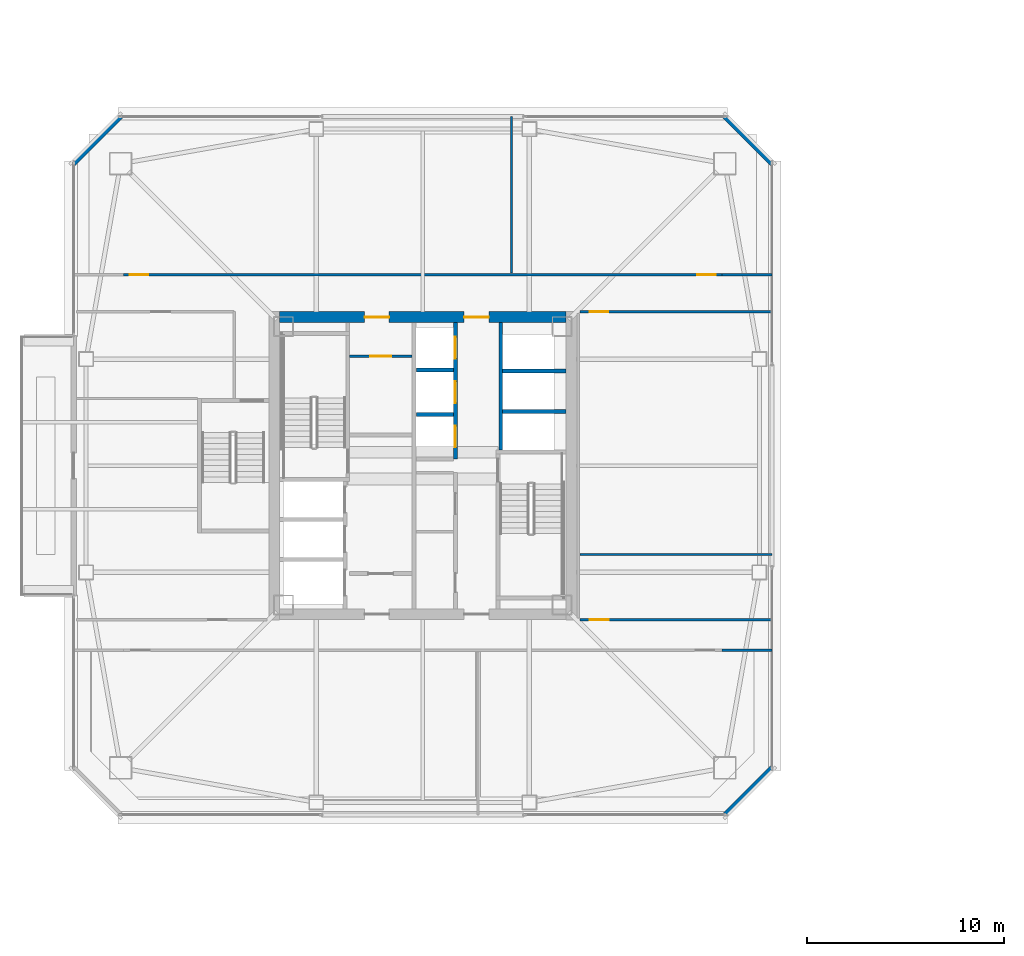
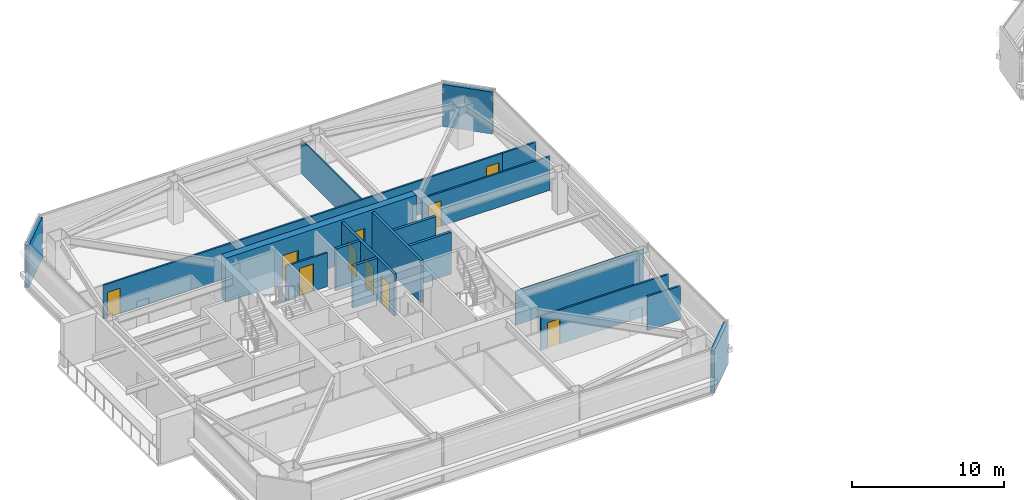
# One storey, part 32 of 41: 18 walls, 10 doors, 10 openings.
"""IFC4 building model written with IfcOpenShell, lengths in metres."""

from ifc_helpers import new_model, si_unit, direction, frame, frame_2d, origin, place, context, subcontext, project, spatial, rectangle, extrude, material, layer, layer_set, type_object, element, fill, save


model = new_model("IFC4")

# Units and contexts
model_context = context("Model", 3, precision=1e-05, world=origin(), true_north=direction((0.0, 1.0)))
body_context = subcontext(model_context, "Body", "Model", "MODEL_VIEW")
ifc_project = project(units=[si_unit("LENGTHUNIT", "METRE"), si_unit("AREAUNIT", "SQUARE_METRE"), si_unit("VOLUMEUNIT", "CUBIC_METRE"), si_unit("PLANEANGLEUNIT", "RADIAN"), si_unit("MASSUNIT", "GRAM", prefix="KILO")], contexts=[model_context])

# Site, building, storey
site_placement = place(None, origin())
site = spatial("IfcSite", under=ifc_project, at=site_placement, CompositionType="ELEMENT")
building_placement = place(site_placement, origin())
building = spatial("IfcBuilding", under=site, at=building_placement, Name="Tashvorn Skyway Center", CompositionType="ELEMENT")
storey_placement = place(building_placement, frame((0.0, 0.0, 192.5)))
storey = spatial("IfcBuildingStorey", under=building, at=storey_placement, Name="L52", CompositionType="ELEMENT", Elevation=192.5)

# Wall, openings, doors
ifc_material_1 = material(Name="Concrete C60/75", Category="concrete")
ifc_layer_1 = layer(ifc_material_1, 0.550048828125)
ifc_layer_set_1 = layer_set([ifc_layer_1], Name="Concrete C60/75")
wall_type_1 = type_object("IfcWallType", Name="WALL-CORE-550", PredefinedType="SHEAR", material=ifc_layer_set_1)
wall_1_placement = place(storey_placement, frame((34.75, 39.52490234375, 0.0), z_axis=(0.0, 0.0, 1.0), x_axis=(1.0, 0.0, 0.0)))
wall_1 = element("IfcWall", 1, at=wall_1_placement, inside=storey, type_object=wall_type_1, Name="Tower 1 L52 North Core Shear Wall", PredefinedType="SHEAR", context=body_context, shape_type="SweptSolid", body=[
    extrude(rectangle(XDim=14.5, YDim=0.550048828125, at=frame_2d((7.25, 0.0))), origin(), (0.0, 0.0, 1.0), 3.550048828125),
])
opening_1_placement = place(wall_1_placement, frame((4.300048828125, 0.0, 0.0)))
opening_1 = element("IfcOpeningElement", 2, at=opening_1_placement, cuts=wall_1, Name="Opening D-FFL-1250", PredefinedType="OPENING", context=body_context, shape_type="SweptSolid", body=[
    extrude(rectangle(XDim=1.25, YDim=2.25, at=frame_2d((0.625, 1.125))), frame((0.0, 0.284912109375, 0.0), z_axis=(0.0, -1.0, 0.0), x_axis=(1.0, 0.0, 0.0)), (0.0, 0.0, 1.0), 0.570068359375),
])
opening_2_placement = place(wall_1_placement, frame((9.35009765625, 0.0, 0.0)))
opening_2 = element("IfcOpeningElement", 3, at=opening_2_placement, cuts=wall_1, Name="Opening D-FFL-1250", PredefinedType="OPENING", context=body_context, shape_type="SweptSolid", body=[
    extrude(rectangle(XDim=1.25, YDim=2.25, at=frame_2d((0.625, 1.125))), frame((0.0, 0.284912109375, 0.0), z_axis=(0.0, -1.0, 0.0), x_axis=(1.0, 0.0, 0.0)), (0.0, 0.0, 1.0), 0.570068359375),
])
ifc_material_2 = material(Name="Hollow galvanized steel fire door assembly", Category="steel")
door_type_1 = type_object("IfcDoorType", Name="DOOR-FFL-1250", OperationType="NOTDEFINED", PredefinedType="DOOR", material=ifc_material_2)
door_1_placement = place(opening_1_placement, origin())
door_1 = element("IfcDoor", 4, at=door_1_placement, inside=storey, type_object=door_type_1, Name="Tower 1 L52 Core North Service Lobby Door", OperationType="SINGLE_SWING_LEFT", OverallHeight=2.25, OverallWidth=1.25, PredefinedType="DOOR", context=body_context, shape_type="SweptSolid", body=[
    extrude(rectangle(XDim=1.25, YDim=2.25, at=frame_2d((0.625, 1.125))), frame((0.0, 0.02490234375, 0.0), z_axis=(0.0, -1.0, 0.0), x_axis=(1.0, 0.0, 0.0)), (0.0, 0.0, 1.0), 0.050048828125),
])
fill(opening_1, door_1)
door_2_placement = place(opening_2_placement, origin())
door_2 = element("IfcDoor", 5, at=door_2_placement, inside=storey, type_object=door_type_1, Name="Tower 1 L52 Core North Lift Lobby Door", OperationType="SINGLE_SWING_RIGHT", OverallHeight=2.25, OverallWidth=1.25, PredefinedType="DOOR", context=body_context, shape_type="SweptSolid", body=[
    extrude(rectangle(XDim=1.25, YDim=2.25, at=frame_2d((0.625, 1.125))), frame((0.0, 0.02490234375, 0.0), z_axis=(0.0, -1.0, 0.0), x_axis=(1.0, 0.0, 0.0)), (0.0, 0.0, 1.0), 0.050048828125),
])
fill(opening_2, door_2)

# Walls
ifc_material_3 = material(Name="Precast concrete C40/50", Category="concrete")
ifc_layer_2 = layer(ifc_material_3, 0.280029296875)
ifc_layer_set_2 = layer_set([ifc_layer_2], Name="Precast concrete C40/50")
wall_type_2 = type_object("IfcWallType", Name="WALL-EXT-280", PredefinedType="SOLIDWALL", material=ifc_layer_set_2)
for number, where, z_axis, x_axis, name in (
    (6, (24.300048828125, 47.300048828125, 0.0), (0.0, 0.0, 1.0), (0.707106781187, 0.707106781187, 0.0), "Tower 1 L52 NW Precast Chamfer Wall"),
    (7, (57.300048828125, 49.699951171875, 0.0), (0.0, 0.0, 1.0), (0.707106781187, -0.707106781187, 0.0), "Tower 1 L52 NE Precast Chamfer Wall"),
    (8, (59.699951171875, 16.699951171875, 0.0), (0.0, 0.0, 1.0), (-0.707106781187, -0.707106781187, 0.0), "Tower 1 L52 SE Precast Chamfer Wall"),
):
    element("IfcWall", number, at=place(storey_placement, frame(where, z_axis=z_axis, x_axis=x_axis)), inside=storey, type_object=wall_type_2, Name=name, PredefinedType="SOLIDWALL", context=body_context, shape_type="SweptSolid", body=[
        extrude(rectangle(XDim=3.39404296875, YDim=0.280029296875, at=frame_2d((1.697021484375, 0.0))), origin(), (0.0, 0.0, 1.0), 3.3701171875),
    ])
ifc_material_4 = material(Name="Gypsum board on cold-formed steel stud framing", Category="steel")
ifc_layer_3 = layer(ifc_material_4, 0.110107421875)
ifc_layer_set_3 = layer_set([ifc_layer_3], Name="Gypsum board on cold-formed steel stud framing")
wall_type_3 = type_object("IfcWallType", Name="WALL-PART-110", PredefinedType="PARTITIONING", material=ifc_layer_set_3)
wall_2_placement = place(storey_placement, frame((46.5, 41.75, 0.0), z_axis=(0.0, 0.0, 1.0), x_axis=(0.0, 1.0, 0.0)))
element("IfcWall", 9, at=wall_2_placement, inside=storey, type_object=wall_type_3, Name="Tower 1 L52 North Suite Partition 1", PredefinedType="PARTITIONING", context=body_context, shape_type="SweptSolid", body=[
    extrude(rectangle(XDim=7.929931640625, YDim=0.110107421875, at=frame_2d((3.96484375, 0.0))), origin(), (0.0, 0.0, 1.0), 2.722900390625),
])
wall_3_placement = place(storey_placement, frame((49.9599609375, 27.5, 0.0), z_axis=(0.0, 0.0, 1.0), x_axis=(1.0, 0.0, 0.0)))
element("IfcWall", 10, at=wall_3_placement, inside=storey, type_object=wall_type_3, Name="Tower 1 L52 East Mid Partition", PredefinedType="PARTITIONING", context=body_context, shape_type="SweptSolid", body=[
    extrude(rectangle(XDim=9.719970703125, YDim=0.110107421875, at=frame_2d((4.85986328125, 0.0))), origin(), (0.0, 0.0, 1.0), 2.722900390625),
])

# Wall, openings, doors
ifc_layer_4 = layer(ifc_material_4, 0.135009765625)
ifc_layer_set_4 = layer_set([ifc_layer_4], Name="Gypsum board on cold-formed steel stud framing")
wall_type_4 = type_object("IfcWallType", Name="WALL-PART-135", PredefinedType="PARTITIONING", material=ifc_layer_set_4)
wall_4_placement = place(storey_placement, frame((26.85009765625, 41.669921875, 0.0), z_axis=(0.0, 0.0, 1.0), x_axis=(1.0, 0.0, 0.0)))
wall_4 = element("IfcWall", 11, at=wall_4_placement, inside=storey, type_object=wall_type_4, Name="Tower 1 L52 North Suite Wall", PredefinedType="PARTITIONING", context=body_context, shape_type="SweptSolid", body=[
    extrude(rectangle(XDim=30.2998046875, YDim=0.135009765625, at=frame_2d((15.14990234375, 0.0))), origin(), (0.0, 0.0, 1.0), 2.722900390625),
])
opening_3_placement = place(wall_4_placement, frame((0.300048828125, 0.0, 0.0)))
opening_3 = element("IfcOpeningElement", 12, at=opening_3_placement, cuts=wall_4, Name="Opening D-INT-950", PredefinedType="OPENING", context=body_context, shape_type="SweptSolid", body=[
    extrude(rectangle(XDim=0.949951171875, YDim=2.050048828125, at=frame_2d((0.47509765625, 1.02490234375))), frame((0.0, 0.077392578125, 0.0), z_axis=(0.0, -1.0, 0.0), x_axis=(1.0, 0.0, 0.0)), (0.0, 0.0, 1.0), 0.155029296875),
])
opening_4_placement = place(wall_4_placement, frame((29.050048828125, 0.0, 0.0)))
opening_4 = element("IfcOpeningElement", 13, at=opening_4_placement, cuts=wall_4, Name="Opening D-INT-950", PredefinedType="OPENING", context=body_context, shape_type="SweptSolid", body=[
    extrude(rectangle(XDim=0.949951171875, YDim=2.050048828125, at=frame_2d((0.47509765625, 1.02490234375))), frame((0.0, 0.077392578125, 0.0), z_axis=(0.0, -1.0, 0.0), x_axis=(1.0, 0.0, 0.0)), (0.0, 0.0, 1.0), 0.155029296875),
])
ifc_material_5 = material(Name="Solid-core architectural oak veneer door")
door_type_2 = type_object("IfcDoorType", Name="DOOR-INT-950", OperationType="NOTDEFINED", PredefinedType="DOOR", material=ifc_material_5)
door_3_placement = place(opening_3_placement, origin())
door_3 = element("IfcDoor", 14, at=door_3_placement, inside=storey, type_object=door_type_2, Name="Tower 1 L52 Wellness Clinic Door", OperationType="SINGLE_SWING_LEFT", OverallHeight=2.050048828125, OverallWidth=0.949951171875, PredefinedType="DOOR", context=body_context, shape_type="SweptSolid", body=[
    extrude(rectangle(XDim=0.949951171875, YDim=2.050048828125, at=frame_2d((0.47509765625, 1.02490234375))), frame((0.0, 0.02490234375, 0.0), z_axis=(0.0, -1.0, 0.0), x_axis=(1.0, 0.0, 0.0)), (0.0, 0.0, 1.0), 0.050048828125),
])
fill(opening_3, door_3)
door_4_placement = place(opening_4_placement, origin())
door_4 = element("IfcDoor", 15, at=door_4_placement, inside=storey, type_object=door_type_2, Name="Tower 1 L52 Wellness Clinic Door", OperationType="SINGLE_SWING_RIGHT", OverallHeight=2.050048828125, OverallWidth=0.949951171875, PredefinedType="DOOR", context=body_context, shape_type="SweptSolid", body=[
    extrude(rectangle(XDim=0.949951171875, YDim=2.050048828125, at=frame_2d((0.47509765625, 1.02490234375))), frame((0.0, 0.02490234375, 0.0), z_axis=(0.0, -1.0, 0.0), x_axis=(1.0, 0.0, 0.0)), (0.0, 0.0, 1.0), 0.050048828125),
])
fill(opening_4, door_4)

# Walls
for number, where, z_axis, x_axis, name in (
    (16, (57.14990234375, 41.669921875, 0.0), (0.0, 0.0, 1.0), (1.0, 0.0, 0.0), "Tower 1 L52 North-East Suite South Wall"),
    (17, (57.14990234375, 22.64990234375, 0.0), (0.0, 0.0, 1.0), (1.0, 0.0, 0.0), "Tower 1 L52 South-East Suite North Wall"),
):
    element("IfcWall", number, at=place(storey_placement, frame(where, z_axis=z_axis, x_axis=x_axis)), inside=storey, type_object=wall_type_4, Name=name, PredefinedType="PARTITIONING", context=body_context, shape_type="SweptSolid", body=[
        extrude(rectangle(XDim=2.530029296875, YDim=0.135009765625, at=frame_2d((1.26513671875, 0.0))), origin(), (0.0, 0.0, 1.0), 2.722900390625),
    ])

# Wall, opening, door
wall_5_placement = place(storey_placement, frame((59.679931640625, 39.800048828125, 0.0), z_axis=(0.0, 0.0, 1.0), x_axis=(-1.0, 0.0, 0.0)))
wall_5 = element("IfcWall", 18, at=wall_5_placement, inside=storey, type_object=wall_type_4, Name="Tower 1 L52 East Suite North Wall", PredefinedType="PARTITIONING", context=body_context, shape_type="SweptSolid", body=[
    extrude(rectangle(XDim=9.719970703125, YDim=0.135009765625, at=frame_2d((4.85986328125, 0.0))), origin(), (0.0, 0.0, 1.0), 2.722900390625),
])
opening_5_placement = place(wall_5_placement, frame((8.280029296875, 0.0, 0.0)))
opening_5 = element("IfcOpeningElement", 19, at=opening_5_placement, cuts=wall_5, Name="Opening D-INT-950", PredefinedType="OPENING", context=body_context, shape_type="SweptSolid", body=[
    extrude(rectangle(XDim=0.949951171875, YDim=2.050048828125, at=frame_2d((0.47509765625, 1.02490234375))), frame((0.0, 0.077392578125, 0.0), z_axis=(0.0, -1.0, 0.0), x_axis=(1.0, 0.0, 0.0)), (0.0, 0.0, 1.0), 0.155029296875),
])
door_5_placement = place(opening_5_placement, origin())
door_5 = element("IfcDoor", 20, at=door_5_placement, inside=storey, type_object=door_type_2, Name="Tower 1 L52 Operations Control Room Door", OperationType="SINGLE_SWING_LEFT", OverallHeight=2.050048828125, OverallWidth=0.949951171875, PredefinedType="DOOR", context=body_context, shape_type="SweptSolid", body=[
    extrude(rectangle(XDim=0.949951171875, YDim=2.050048828125, at=frame_2d((0.47509765625, 1.02490234375))), frame((0.0, 0.02490234375, 0.0), z_axis=(0.0, -1.0, 0.0), x_axis=(1.0, 0.0, 0.0)), (0.0, 0.0, 1.0), 0.050048828125),
])
fill(opening_5, door_5)

wall_6_placement = place(storey_placement, frame((49.9599609375, 24.199951171875, 0.0), z_axis=(0.0, 0.0, 1.0), x_axis=(1.0, 0.0, 0.0)))
wall_6 = element("IfcWall", 21, at=wall_6_placement, inside=storey, type_object=wall_type_4, Name="Tower 1 L52 East Suite South Wall", PredefinedType="PARTITIONING", context=body_context, shape_type="SweptSolid", body=[
    extrude(rectangle(XDim=9.719970703125, YDim=0.135009765625, at=frame_2d((4.85986328125, 0.0))), origin(), (0.0, 0.0, 1.0), 2.722900390625),
])
opening_6_placement = place(wall_6_placement, frame((0.5, 0.0, 0.0)))
opening_6 = element("IfcOpeningElement", 22, at=opening_6_placement, cuts=wall_6, Name="Opening D-INT-950", PredefinedType="OPENING", context=body_context, shape_type="SweptSolid", body=[
    extrude(rectangle(XDim=0.949951171875, YDim=2.050048828125, at=frame_2d((0.47509765625, 1.02490234375))), frame((0.0, 0.077392578125, 0.0), z_axis=(0.0, -1.0, 0.0), x_axis=(1.0, 0.0, 0.0)), (0.0, 0.0, 1.0), 0.155029296875),
])
door_6_placement = place(opening_6_placement, origin())
door_6 = element("IfcDoor", 23, at=door_6_placement, inside=storey, type_object=door_type_2, Name="Tower 1 L52 Public Restroom Door", OperationType="SINGLE_SWING_RIGHT", OverallHeight=2.050048828125, OverallWidth=0.949951171875, PredefinedType="DOOR", context=body_context, shape_type="SweptSolid", body=[
    extrude(rectangle(XDim=0.949951171875, YDim=2.050048828125, at=frame_2d((0.47509765625, 1.02490234375))), frame((0.0, 0.02490234375, 0.0), z_axis=(0.0, -1.0, 0.0), x_axis=(1.0, 0.0, 0.0)), (0.0, 0.0, 1.0), 0.050048828125),
])
fill(opening_6, door_6)

ifc_layer_5 = layer(ifc_material_4, 0.135009765625)
ifc_layer_set_5 = layer_set([ifc_layer_5], Name="Gypsum board on cold-formed steel stud framing")
wall_type_5 = type_object("IfcWallType", Name="WALL-RATED-135", PredefinedType="PARTITIONING", material=ifc_layer_set_5)
wall_7_placement = place(storey_placement, frame((38.300048828125, 37.550048828125, 0.0), z_axis=(0.0, 0.0, 1.0), x_axis=(1.0, 0.0, 0.0)))
wall_7 = element("IfcWall", 24, at=wall_7_placement, inside=storey, type_object=wall_type_5, Name="Tower 1 L52 Core Service Lobby Wall", PredefinedType="PARTITIONING", context=body_context, shape_type="SweptSolid", body=[
    extrude(rectangle(XDim=3.14990234375, YDim=0.135009765625, at=frame_2d((1.574951171875, 0.0))), origin(), (0.0, 0.0, 1.0), 2.722900390625),
])
opening_7_placement = place(wall_7_placement, frame((1.050048828125, 0.0, 0.0)))
opening_7 = element("IfcOpeningElement", 25, at=opening_7_placement, cuts=wall_7, Name="Opening D-RT-1050", PredefinedType="OPENING", context=body_context, shape_type="SweptSolid", body=[
    extrude(rectangle(XDim=1.050048828125, YDim=2.199951171875, at=frame_2d((0.52490234375, 1.10009765625))), frame((0.0, 0.077392578125, 0.0), z_axis=(0.0, -1.0, 0.0), x_axis=(1.0, 0.0, 0.0)), (0.0, 0.0, 1.0), 0.155029296875),
])
door_type_3 = type_object("IfcDoorType", Name="DOOR-RATED-1050", OperationType="NOTDEFINED", PredefinedType="DOOR", material=ifc_material_2)
door_7_placement = place(opening_7_placement, origin())
door_7 = element("IfcDoor", 26, at=door_7_placement, inside=storey, type_object=door_type_3, Name="Tower 1 L52 Core Accessible WC Door", OperationType="SINGLE_SWING_LEFT", OverallHeight=2.199951171875, OverallWidth=1.050048828125, PredefinedType="DOOR", context=body_context, shape_type="SweptSolid", body=[
    extrude(rectangle(XDim=1.050048828125, YDim=2.199951171875, at=frame_2d((0.52490234375, 1.10009765625))), frame((0.0, 0.02490234375, 0.0), z_axis=(0.0, -1.0, 0.0), x_axis=(1.0, 0.0, 0.0)), (0.0, 0.0, 1.0), 0.050048828125),
])
fill(opening_7, door_7)

# Walls
ifc_material_6 = material(Name="Concrete C40/50", Category="concrete")
ifc_layer_6 = layer(ifc_material_6, 0.199951171875)
ifc_layer_set_6 = layer_set([ifc_layer_6], Name="Concrete C40/50")
wall_type_6 = type_object("IfcWallType", Name="WALL-SHAFT-200", PredefinedType="SOLIDWALL", material=ifc_layer_set_6)
for number, where, z_axis, x_axis, name in (
    (27, (46.050048828125, 34.75, 0.0), (0.0, 0.0, 1.0), (1.0, 0.0, 0.0), "Tower 1 L52 High-Rise Shaft Divider"),
    (28, (46.050048828125, 36.800048828125, 0.0), (0.0, 0.0, 1.0), (1.0, 0.0, 0.0), "Tower 1 L52 High-Rise Shaft Divider"),
):
    element("IfcWall", number, at=place(storey_placement, frame(where, z_axis=z_axis, x_axis=x_axis)), inside=storey, type_object=wall_type_6, Name=name, PredefinedType="SOLIDWALL", context=body_context, shape_type="SweptSolid", body=[
        extrude(rectangle(XDim=3.199951171875, YDim=0.199951171875, at=frame_2d((1.60009765625, 0.0))), origin(), (0.0, 0.0, 1.0), 3.3701171875),
    ])

# Wall, openings, doors
wall_8_placement = place(storey_placement, frame((43.64990234375, 32.35009765625, 0.0), z_axis=(0.0, 0.0, 1.0), x_axis=(0.0, 1.0, 0.0)))
wall_8 = element("IfcWall", 29, at=wall_8_placement, inside=storey, type_object=wall_type_6, Name="Tower 1 L52 Mid-Rise Core Wall", PredefinedType="SOLIDWALL", context=body_context, shape_type="SweptSolid", body=[
    extrude(rectangle(XDim=6.89990234375, YDim=0.199951171875, at=frame_2d((3.449951171875, 0.0))), origin(), (0.0, 0.0, 1.0), 3.3701171875),
])
opening_8_placement = place(wall_8_placement, frame((0.574951171875, 0.0, 0.0)))
opening_8 = element("IfcOpeningElement", 30, at=opening_8_placement, cuts=wall_8, Name="Opening LD-MR-T1-1-L52", PredefinedType="OPENING", context=body_context, shape_type="SweptSolid", body=[
    extrude(rectangle(XDim=1.10009765625, YDim=2.199951171875, at=frame_2d((0.550048828125, 1.10009765625))), frame((0.0, 0.10986328125, 0.0), z_axis=(0.0, -1.0, 0.0), x_axis=(1.0, 0.0, 0.0)), (0.0, 0.0, 1.0), 0.219970703125),
])
opening_9_placement = place(wall_8_placement, frame((2.824951171875, 0.0, 0.0)))
opening_9 = element("IfcOpeningElement", 31, at=opening_9_placement, cuts=wall_8, Name="Opening LD-MR-T1-2-L52", PredefinedType="OPENING", context=body_context, shape_type="SweptSolid", body=[
    extrude(rectangle(XDim=1.10009765625, YDim=2.199951171875, at=frame_2d((0.550048828125, 1.10009765625))), frame((0.0, 0.10986328125, 0.0), z_axis=(0.0, -1.0, 0.0), x_axis=(1.0, 0.0, 0.0)), (0.0, 0.0, 1.0), 0.219970703125),
])
opening_10_placement = place(wall_8_placement, frame((5.074951171875, 0.0, 0.0)))
opening_10 = element("IfcOpeningElement", 32, at=opening_10_placement, cuts=wall_8, Name="Opening LD-MR-T1-3-L52", PredefinedType="OPENING", context=body_context, shape_type="SweptSolid", body=[
    extrude(rectangle(XDim=1.10009765625, YDim=2.199951171875, at=frame_2d((0.550048828125, 1.10009765625))), frame((0.0, 0.10986328125, 0.0), z_axis=(0.0, -1.0, 0.0), x_axis=(1.0, 0.0, 0.0)), (0.0, 0.0, 1.0), 0.219970703125),
])
ifc_material_7 = material(Name="Stainless steel landing door", Category="steel")
door_type_4 = type_object("IfcDoorType", Name="DOOR-LIFT-1100", OperationType="SLIDING_TO_LEFT", PredefinedType="DOOR", material=ifc_material_7)
door_8_placement = place(opening_8_placement, origin())
door_8 = element("IfcDoor", 33, at=door_8_placement, inside=storey, type_object=door_type_4, Name="Lift MR-T1-1 L52 Landing Door", OperationType="SLIDING_TO_LEFT", OverallHeight=2.199951171875, OverallWidth=1.10009765625, PredefinedType="DOOR", context=body_context, shape_type="SweptSolid", body=[
    extrude(rectangle(XDim=1.10009765625, YDim=2.199951171875, at=frame_2d((0.550048828125, 1.10009765625))), frame((0.0, 0.02490234375, 0.0), z_axis=(0.0, -1.0, 0.0), x_axis=(1.0, 0.0, 0.0)), (0.0, 0.0, 1.0), 0.050048828125),
])
fill(opening_8, door_8)
door_9_placement = place(opening_9_placement, origin())
door_9 = element("IfcDoor", 34, at=door_9_placement, inside=storey, type_object=door_type_4, Name="Lift MR-T1-2 L52 Landing Door", OperationType="SLIDING_TO_LEFT", OverallHeight=2.199951171875, OverallWidth=1.10009765625, PredefinedType="DOOR", context=body_context, shape_type="SweptSolid", body=[
    extrude(rectangle(XDim=1.10009765625, YDim=2.199951171875, at=frame_2d((0.550048828125, 1.10009765625))), frame((0.0, 0.02490234375, 0.0), z_axis=(0.0, -1.0, 0.0), x_axis=(1.0, 0.0, 0.0)), (0.0, 0.0, 1.0), 0.050048828125),
])
fill(opening_9, door_9)
door_10_placement = place(opening_10_placement, origin())
door_10 = element("IfcDoor", 35, at=door_10_placement, inside=storey, type_object=door_type_4, Name="Lift MR-T1-3 L52 Landing Door", OperationType="SLIDING_TO_LEFT", OverallHeight=2.199951171875, OverallWidth=1.10009765625, PredefinedType="DOOR", context=body_context, shape_type="SweptSolid", body=[
    extrude(rectangle(XDim=1.10009765625, YDim=2.199951171875, at=frame_2d((0.550048828125, 1.10009765625))), frame((0.0, 0.02490234375, 0.0), z_axis=(0.0, -1.0, 0.0), x_axis=(1.0, 0.0, 0.0)), (0.0, 0.0, 1.0), 0.050048828125),
])
fill(opening_10, door_10)

# Walls
for number, where, z_axis, x_axis, name in (
    (36, (41.669921875, 34.60009765625, 0.0), (0.0, 0.0, 1.0), (1.0, 0.0, 0.0), "Tower 1 L52 Mid-Rise Shaft Divider"),
    (37, (41.669921875, 36.85009765625, 0.0), (0.0, 0.0, 1.0), (1.0, 0.0, 0.0), "Tower 1 L52 Mid-Rise Shaft Divider"),
):
    element("IfcWall", number, at=place(storey_placement, frame(where, z_axis=z_axis, x_axis=x_axis)), inside=storey, type_object=wall_type_6, Name=name, PredefinedType="SOLIDWALL", context=body_context, shape_type="SweptSolid", body=[
        extrude(rectangle(XDim=1.880126953125, YDim=0.199951171875, at=frame_2d((0.93994140625, 0.0))), origin(), (0.0, 0.0, 1.0), 3.3701171875),
    ])
ifc_layer_7 = layer(ifc_material_6, 0.199951171875)
ifc_layer_set_7 = layer_set([ifc_layer_7], Name="Concrete C40/50")
wall_type_7 = type_object("IfcWallType", Name="WALL-STSHF-200", PredefinedType="SHEAR", material=ifc_layer_set_7)
wall_9_placement = place(storey_placement, frame((45.949951171875, 39.25, 0.0), z_axis=(0.0, 0.0, 1.0), x_axis=(0.0, -1.0, 0.0)))
element("IfcWall", 38, at=wall_9_placement, inside=storey, type_object=wall_type_7, Name="Tower 1 L52 High-Rise Lift Shaft Front Wall", PredefinedType="SHEAR", context=body_context, shape_type="SweptSolid", body=[
    extrude(rectangle(XDim=6.449951171875, YDim=0.199951171875, at=frame_2d((3.22509765625, 0.0))), origin(), (0.0, 0.0, 1.0), 3.3701171875),
])

save(model, "model.ifc")
